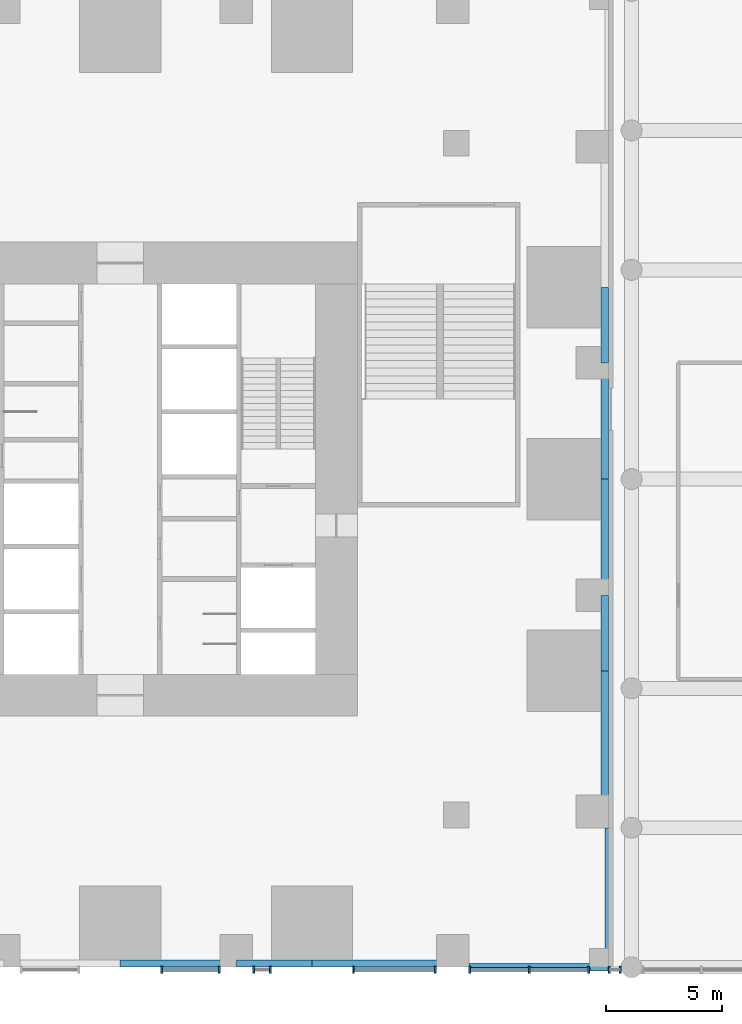
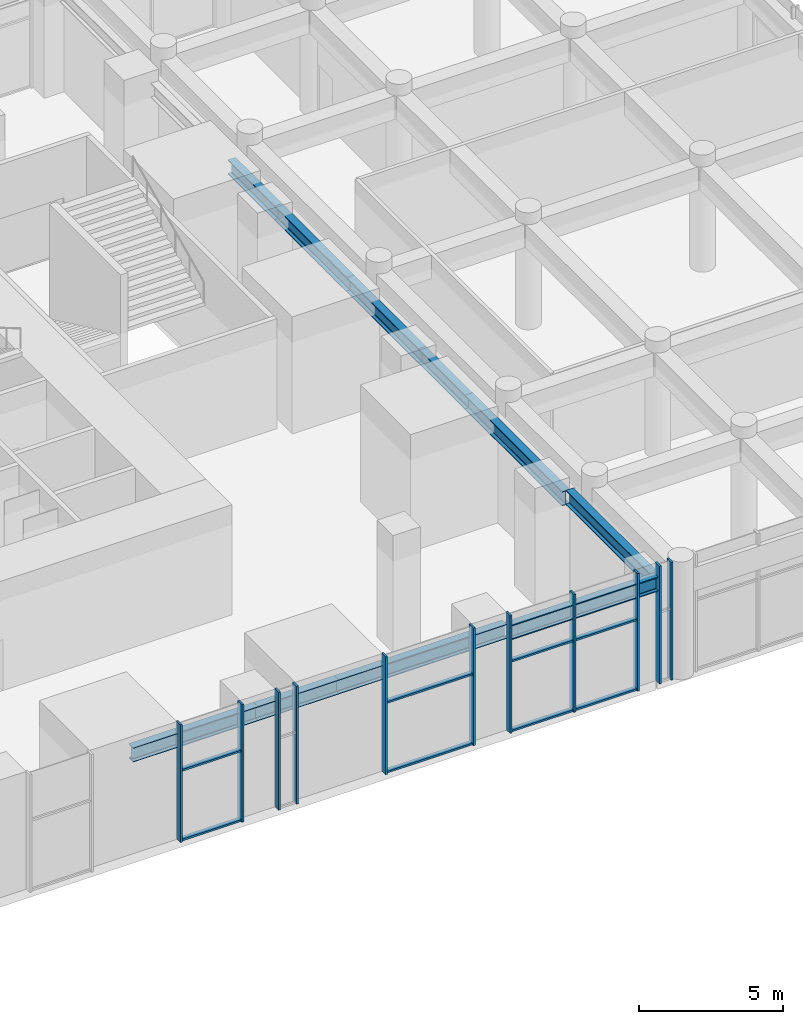
# One storey, part 4 of 23: 19 members, 10 beams, 5 elements without a shape of their own.
"""IFC4 building model written with IfcOpenShell, lengths in metres."""

from ifc_helpers import new_model, si_unit, direction, frame, origin, origin_2d, place, context, subcontext, project, spatial, rectangle, i_section, extrude, material, material_profile, profile_set, type_object, element, aggregate, save


model = new_model("IFC4")

# Units and contexts
model_context = context("Model", 3, precision=1e-05, world=origin(), true_north=direction((0.0, 1.0)))
body_context = subcontext(model_context, "Body", "Model", "MODEL_VIEW")
ifc_project = project(units=[si_unit("LENGTHUNIT", "METRE"), si_unit("AREAUNIT", "SQUARE_METRE"), si_unit("VOLUMEUNIT", "CUBIC_METRE"), si_unit("PLANEANGLEUNIT", "RADIAN"), si_unit("MASSUNIT", "GRAM", prefix="KILO")], contexts=[model_context])

# Site, building, storey
site_placement = place(None, origin())
site = spatial("IfcSite", under=ifc_project, at=site_placement, CompositionType="ELEMENT")
building_placement = place(site_placement, origin())
building = spatial("IfcBuilding", under=site, at=building_placement, Name="Svetlomir Tower", CompositionType="ELEMENT")
storey_placement = place(building_placement, frame((0.0, 0.0, 6.0)))
storey = spatial("IfcBuildingStorey", under=building, at=storey_placement, Name="L01", CompositionType="ELEMENT", Elevation=6.0)

# Curtain wall, members
ifc_material_1 = material(Name="Bronze anodised aluminium curtain wall", Category="aluminium")
curtain_wall_type = type_object("IfcCurtainWallType", Name="CURTAIN WALL CW5 PODIUM", PredefinedType="NOTDEFINED", material=ifc_material_1)
curtain_wall_1_placement = place(storey_placement, origin())
curtain_wall_1 = element("IfcCurtainWall", 1, at=curtain_wall_1_placement, inside=storey, type_object=curtain_wall_type, Name="Curtain wall CW5 L01", PredefinedType="NOTDEFINED")
ifc_material_2 = material(Name="Bronze anodised aluminium", Category="aluminium")
ifc_material_profile_1 = material_profile(ifc_material_2, rectangle(XDim=0.080078125, YDim=0.300048828125, at=origin_2d()), Name="AL 80x300")
ifc_profile_set_1 = profile_set([ifc_material_profile_1], Name="Bronze anodised aluminium 6063-T6")
member_type_1 = type_object("IfcMemberType", Name="CW5 MULLION 80x300", PredefinedType="MULLION", material=ifc_profile_set_1)
member_1_placement = place(storey_placement, frame((22.7900390625, -0.10009765625, 0.0), z_axis=(0.0, 0.0, 1.0), x_axis=(1.0, 0.0, 0.0)))
member_1 = element("IfcMember", 2, at=member_1_placement, type_object=member_type_1, Name="CW5 mullion 1", PredefinedType="MULLION", context=body_context, shape_type="SweptSolid", body=[
    extrude(rectangle(XDim=0.080078125, YDim=0.300048828125, at=origin_2d()), origin(), (0.0, 0.0, 1.0), 5.0),
])
member_2_placement = place(storey_placement, frame((25.260009765625, -0.10009765625, 0.0), z_axis=(0.0, 0.0, 1.0), x_axis=(1.0, 0.0, 0.0)))
member_2 = element("IfcMember", 3, at=member_2_placement, type_object=member_type_1, Name="CW5 mullion 2", PredefinedType="MULLION", context=body_context, shape_type="SweptSolid", body=[
    extrude(rectangle(XDim=0.080078125, YDim=0.300048828125, at=origin_2d()), origin(), (0.0, 0.0, 1.0), 5.0),
])

curtain_wall_2_placement = place(storey_placement, origin())
curtain_wall_2 = element("IfcCurtainWall", 4, at=curtain_wall_2_placement, inside=storey, type_object=curtain_wall_type, Name="Curtain wall CW5 L01", PredefinedType="NOTDEFINED")
member_3_placement = place(storey_placement, frame((26.739990234375, -0.10009765625, 0.0), z_axis=(0.0, 0.0, 1.0), x_axis=(1.0, 0.0, 0.0)))
member_3 = element("IfcMember", 5, at=member_3_placement, type_object=member_type_1, Name="CW5 mullion 1", PredefinedType="MULLION", context=body_context, shape_type="SweptSolid", body=[
    extrude(rectangle(XDim=0.080078125, YDim=0.300048828125, at=origin_2d()), origin(), (0.0, 0.0, 1.0), 5.0),
])
member_4_placement = place(storey_placement, frame((27.4599609375, -0.10009765625, 0.0), z_axis=(0.0, 0.0, 1.0), x_axis=(1.0, 0.0, 0.0)))
member_4 = element("IfcMember", 6, at=member_4_placement, type_object=member_type_1, Name="CW5 mullion 2", PredefinedType="MULLION", context=body_context, shape_type="SweptSolid", body=[
    extrude(rectangle(XDim=0.080078125, YDim=0.300048828125, at=origin_2d()), origin(), (0.0, 0.0, 1.0), 5.0),
])
aggregate(curtain_wall_2, [member_3, member_4])

curtain_wall_3_placement = place(storey_placement, origin())
curtain_wall_3 = element("IfcCurtainWall", 7, at=curtain_wall_3_placement, inside=storey, type_object=curtain_wall_type, Name="Curtain wall CW5 L01", PredefinedType="NOTDEFINED")
member_5_placement = place(storey_placement, frame((31.0400390625, -0.10009765625, 0.0), z_axis=(0.0, 0.0, 1.0), x_axis=(1.0, 0.0, 0.0)))
member_5 = element("IfcMember", 8, at=member_5_placement, type_object=member_type_1, Name="CW5 mullion 1", PredefinedType="MULLION", context=body_context, shape_type="SweptSolid", body=[
    extrude(rectangle(XDim=0.080078125, YDim=0.300048828125, at=origin_2d()), origin(), (0.0, 0.0, 1.0), 5.0),
])
member_6_placement = place(storey_placement, frame((34.56005859375, -0.10009765625, 0.0), z_axis=(0.0, 0.0, 1.0), x_axis=(1.0, 0.0, 0.0)))
member_6 = element("IfcMember", 9, at=member_6_placement, type_object=member_type_1, Name="CW5 mullion 2", PredefinedType="MULLION", context=body_context, shape_type="SweptSolid", body=[
    extrude(rectangle(XDim=0.080078125, YDim=0.300048828125, at=origin_2d()), origin(), (0.0, 0.0, 1.0), 5.0),
])

curtain_wall_4_placement = place(storey_placement, origin())
curtain_wall_4 = element("IfcCurtainWall", 10, at=curtain_wall_4_placement, inside=storey, type_object=curtain_wall_type, Name="Curtain wall CW5 L01", PredefinedType="NOTDEFINED")
member_7_placement = place(storey_placement, frame((36.0400390625, -0.10009765625, 0.0), z_axis=(0.0, 0.0, 1.0), x_axis=(1.0, 0.0, 0.0)))
member_7 = element("IfcMember", 11, at=member_7_placement, type_object=member_type_1, Name="CW5 mullion 1", PredefinedType="MULLION", context=body_context, shape_type="SweptSolid", body=[
    extrude(rectangle(XDim=0.080078125, YDim=0.300048828125, at=origin_2d()), origin(), (0.0, 0.0, 1.0), 5.0),
])
member_8_placement = place(storey_placement, frame((38.60009765625, -0.10009765625, 0.0), z_axis=(0.0, 0.0, 1.0), x_axis=(1.0, 0.0, 0.0)))
member_8 = element("IfcMember", 12, at=member_8_placement, type_object=member_type_1, Name="CW5 mullion 2", PredefinedType="MULLION", context=body_context, shape_type="SweptSolid", body=[
    extrude(rectangle(XDim=0.080078125, YDim=0.300048828125, at=origin_2d()), origin(), (0.0, 0.0, 1.0), 5.0),
])
member_9_placement = place(storey_placement, frame((41.159912109375, -0.10009765625, 0.0), z_axis=(0.0, 0.0, 1.0), x_axis=(1.0, 0.0, 0.0)))
member_9 = element("IfcMember", 13, at=member_9_placement, type_object=member_type_1, Name="CW5 mullion 3", PredefinedType="MULLION", context=body_context, shape_type="SweptSolid", body=[
    extrude(rectangle(XDim=0.080078125, YDim=0.300048828125, at=origin_2d()), origin(), (0.0, 0.0, 1.0), 5.0),
])

curtain_wall_5_placement = place(storey_placement, origin())
curtain_wall_5 = element("IfcCurtainWall", 14, at=curtain_wall_5_placement, inside=storey, type_object=curtain_wall_type, Name="Curtain wall CW5 L01", PredefinedType="NOTDEFINED")
member_10_placement = place(storey_placement, frame((42.0400390625, -0.10009765625, 0.0), z_axis=(0.0, 0.0, 1.0), x_axis=(1.0, 0.0, 0.0)))
member_10 = element("IfcMember", 15, at=member_10_placement, type_object=member_type_1, Name="CW5 mullion 1", PredefinedType="MULLION", context=body_context, shape_type="SweptSolid", body=[
    extrude(rectangle(XDim=0.080078125, YDim=0.300048828125, at=origin_2d()), origin(), (0.0, 0.0, 1.0), 5.0),
])
member_11_placement = place(storey_placement, frame((42.510009765625, -0.10009765625, 0.0), z_axis=(0.0, 0.0, 1.0), x_axis=(1.0, 0.0, 0.0)))
member_11 = element("IfcMember", 16, at=member_11_placement, type_object=member_type_1, Name="CW5 mullion 2", PredefinedType="MULLION", context=body_context, shape_type="SweptSolid", body=[
    extrude(rectangle(XDim=0.080078125, YDim=0.300048828125, at=origin_2d()), origin(), (0.0, 0.0, 1.0), 5.0),
])
aggregate(curtain_wall_5, [member_10, member_11])

# Member
ifc_material_3 = material(Name="Bronze anodised aluminium", Category="aluminium")
ifc_material_profile_2 = material_profile(ifc_material_3, rectangle(XDim=0.179931640625, YDim=0.080078125, at=origin_2d()), Name="AL 180x80")
ifc_profile_set_2 = profile_set([ifc_material_profile_2], Name="Bronze anodised aluminium 6063-T6")
member_type_2 = type_object("IfcMemberType", Name="CW5 TRANSOM 80x180", PredefinedType="USERDEFINED", material=ifc_profile_set_2)
member_12_placement = place(storey_placement, frame((22.830078125, -0.10009765625, 0.0400390625), z_axis=(1.0, 0.0, 0.0), x_axis=(0.0, 1.0, 0.0)))
member_12 = element("IfcMember", 17, at=member_12_placement, type_object=member_type_2, Name="CW5 transom 1.1", ObjectType="TRANSOM", PredefinedType="USERDEFINED", context=body_context, shape_type="SweptSolid", body=[
    extrude(rectangle(XDim=0.179931640625, YDim=0.080078125, at=origin_2d()), origin(), (0.0, 0.0, 1.0), 2.389892578125),
])

member_13_placement = place(storey_placement, frame((22.830078125, -0.10009765625, 3.0), z_axis=(1.0, 0.0, 0.0), x_axis=(0.0, 1.0, 0.0)))
member_13 = element("IfcMember", 18, at=member_13_placement, type_object=member_type_2, Name="CW5 transom 1.2", ObjectType="TRANSOM", PredefinedType="USERDEFINED", context=body_context, shape_type="SweptSolid", body=[
    extrude(rectangle(XDim=0.179931640625, YDim=0.080078125, at=origin_2d()), origin(), (0.0, 0.0, 1.0), 2.389892578125),
])

aggregate(curtain_wall_1, [member_1, member_2, member_12, member_13])

member_14_placement = place(storey_placement, frame((31.080078125, -0.10009765625, 0.0400390625), z_axis=(1.0, 0.0, 0.0), x_axis=(0.0, 1.0, 0.0)))
member_14 = element("IfcMember", 19, at=member_14_placement, type_object=member_type_2, Name="CW5 transom 1.1", ObjectType="TRANSOM", PredefinedType="USERDEFINED", context=body_context, shape_type="SweptSolid", body=[
    extrude(rectangle(XDim=0.179931640625, YDim=0.080078125, at=origin_2d()), origin(), (0.0, 0.0, 1.0), 3.43994140625),
])

member_15_placement = place(storey_placement, frame((31.080078125, -0.10009765625, 3.0), z_axis=(1.0, 0.0, 0.0), x_axis=(0.0, 1.0, 0.0)))
member_15 = element("IfcMember", 20, at=member_15_placement, type_object=member_type_2, Name="CW5 transom 1.2", ObjectType="TRANSOM", PredefinedType="USERDEFINED", context=body_context, shape_type="SweptSolid", body=[
    extrude(rectangle(XDim=0.179931640625, YDim=0.080078125, at=origin_2d()), origin(), (0.0, 0.0, 1.0), 3.43994140625),
])

aggregate(curtain_wall_3, [member_5, member_6, member_14, member_15])

member_16_placement = place(storey_placement, frame((36.080078125, -0.10009765625, 0.0400390625), z_axis=(1.0, 0.0, 0.0), x_axis=(0.0, 1.0, 0.0)))
member_16 = element("IfcMember", 21, at=member_16_placement, type_object=member_type_2, Name="CW5 transom 1.1", ObjectType="TRANSOM", PredefinedType="USERDEFINED", context=body_context, shape_type="SweptSolid", body=[
    extrude(rectangle(XDim=0.179931640625, YDim=0.080078125, at=origin_2d()), origin(), (0.0, 0.0, 1.0), 2.47998046875),
])

member_17_placement = place(storey_placement, frame((36.080078125, -0.10009765625, 3.0), z_axis=(1.0, 0.0, 0.0), x_axis=(0.0, 1.0, 0.0)))
member_17 = element("IfcMember", 22, at=member_17_placement, type_object=member_type_2, Name="CW5 transom 1.2", ObjectType="TRANSOM", PredefinedType="USERDEFINED", context=body_context, shape_type="SweptSolid", body=[
    extrude(rectangle(XDim=0.179931640625, YDim=0.080078125, at=origin_2d()), origin(), (0.0, 0.0, 1.0), 2.47998046875),
])

member_18_placement = place(storey_placement, frame((38.639892578125, -0.10009765625, 0.0400390625), z_axis=(1.0, 0.0, 0.0), x_axis=(0.0, 1.0, 0.0)))
member_18 = element("IfcMember", 23, at=member_18_placement, type_object=member_type_2, Name="CW5 transom 2.1", ObjectType="TRANSOM", PredefinedType="USERDEFINED", context=body_context, shape_type="SweptSolid", body=[
    extrude(rectangle(XDim=0.179931640625, YDim=0.080078125, at=origin_2d()), origin(), (0.0, 0.0, 1.0), 2.480224609375),
])

member_19_placement = place(storey_placement, frame((38.639892578125, -0.10009765625, 3.0), z_axis=(1.0, 0.0, 0.0), x_axis=(0.0, 1.0, 0.0)))
member_19 = element("IfcMember", 24, at=member_19_placement, type_object=member_type_2, Name="CW5 transom 2.2", ObjectType="TRANSOM", PredefinedType="USERDEFINED", context=body_context, shape_type="SweptSolid", body=[
    extrude(rectangle(XDim=0.179931640625, YDim=0.080078125, at=origin_2d()), origin(), (0.0, 0.0, 1.0), 2.480224609375),
])

aggregate(curtain_wall_4, [member_7, member_8, member_9, member_16, member_17, member_18, member_19])

# Beams
ifc_material_4 = material(Name="Steel S355", Category="steel")
ifc_material_profile_3 = material_profile(ifc_material_4, i_section(OverallWidth=0.304931640625, OverallDepth=0.6201171875, WebThickness=0.02099609375, FlangeThickness=0.0400390625, FilletRadius=0.027099609375, at=origin_2d()), Name="HEM 600")
ifc_profile_set_3 = profile_set([ifc_material_profile_3], Name="Steel S355")
beam_type = type_object("IfcBeamType", Name="PODIUM EDGE BEAM HEM 600", PredefinedType="BEAM", material=ifc_profile_set_3)
beam_1_placement = place(storey_placement, frame((21.0, 0.152587890625, 4.18994140625), z_axis=(1.0, 0.0, 0.0), x_axis=(0.0, 1.0, 0.0)))
element("IfcBeam", 25, at=beam_1_placement, inside=storey, type_object=beam_type, Name="Podium beam 21/0 to 26/0 under L02", PredefinedType="BEAM", context=body_context, shape_type="SweptSolid", body=[
    extrude(i_section(OverallWidth=0.304931640625, OverallDepth=0.6201171875, WebThickness=0.02099609375, FlangeThickness=0.0400390625, FilletRadius=0.027099609375, at=origin_2d()), origin(), (0.0, 0.0, 1.0), 5.0),
])
beam_2_placement = place(storey_placement, frame((26.0, 0.152587890625, 4.18994140625), z_axis=(1.0, 0.0, 0.0), x_axis=(0.0, 1.0, 0.0)))
element("IfcBeam", 26, at=beam_2_placement, inside=storey, type_object=beam_type, Name="Podium beam 26/0 to 31/0 under L02", PredefinedType="BEAM", context=body_context, shape_type="SweptSolid", body=[
    extrude(i_section(OverallWidth=0.304931640625, OverallDepth=0.6201171875, WebThickness=0.02099609375, FlangeThickness=0.0400390625, FilletRadius=0.027099609375, at=origin_2d()), origin(), (0.0, 0.0, 1.0), 3.25),
])
beam_3_placement = place(storey_placement, frame((29.25, 0.152587890625, 4.18994140625), z_axis=(1.0, 0.0, 0.0), x_axis=(0.0, 1.0, 0.0)))
element("IfcBeam", 27, at=beam_3_placement, inside=storey, type_object=beam_type, Name="Podium beam 31/0 to 36/0 under L02", PredefinedType="BEAM", context=body_context, shape_type="SweptSolid", body=[
    extrude(i_section(OverallWidth=0.304931640625, OverallDepth=0.6201171875, WebThickness=0.02099609375, FlangeThickness=0.0400390625, FilletRadius=0.027099609375, at=origin_2d()), origin(), (0.0, 0.0, 1.0), 6.75),
])
for number, where, z_axis, x_axis, name in (
    (28, (36.0, 0.0, 4.18994140625), (1.0, 0.0, 0.0), (0.0, 1.0, 0.0), "Podium beam 36/0 to 42/0 under L02"),
    (29, (42.0, 0.0, 4.18994140625), (0.0, 1.0, 0.0), (-1.0, 0.0, 0.0), "Podium beam 42/0 to 42/6 under L02"),
):
    element("IfcBeam", number, at=place(storey_placement, frame(where, z_axis=z_axis, x_axis=x_axis)), inside=storey, type_object=beam_type, Name=name, PredefinedType="BEAM", context=body_context, shape_type="SweptSolid", body=[
        extrude(i_section(OverallWidth=0.304931640625, OverallDepth=0.6201171875, WebThickness=0.02099609375, FlangeThickness=0.0400390625, FilletRadius=0.027099609375, at=origin_2d()), origin(), (0.0, 0.0, 1.0), 6.0),
    ])
beam_4_placement = place(storey_placement, frame((41.847412109375, 6.0, 4.18994140625), z_axis=(0.0, 1.0, 0.0), x_axis=(-1.0, 0.0, 0.0)))
element("IfcBeam", 30, at=beam_4_placement, inside=storey, type_object=beam_type, Name="Podium beam 42/6 to 42/11 under L02", PredefinedType="BEAM", context=body_context, shape_type="SweptSolid", body=[
    extrude(i_section(OverallWidth=0.304931640625, OverallDepth=0.6201171875, WebThickness=0.02099609375, FlangeThickness=0.0400390625, FilletRadius=0.027099609375, at=origin_2d()), origin(), (0.0, 0.0, 1.0), 6.75),
])
beam_5_placement = place(storey_placement, frame((41.847412109375, 12.75, 4.18994140625), z_axis=(0.0, 1.0, 0.0), x_axis=(-1.0, 0.0, 0.0)))
element("IfcBeam", 31, at=beam_5_placement, inside=storey, type_object=beam_type, Name="Podium beam 42/11 to 42/16 under L02", PredefinedType="BEAM", context=body_context, shape_type="SweptSolid", body=[
    extrude(i_section(OverallWidth=0.304931640625, OverallDepth=0.6201171875, WebThickness=0.02099609375, FlangeThickness=0.0400390625, FilletRadius=0.027099609375, at=origin_2d()), origin(), (0.0, 0.0, 1.0), 3.25),
])
for number, where, z_axis, x_axis, name in (
    (32, (41.847412109375, 16.0, 4.18994140625), (0.0, 1.0, 0.0), (-1.0, 0.0, 0.0), "Podium beam 42/16 to 42/21 under L02"),
    (33, (41.847412109375, 21.0, 4.18994140625), (0.0, 1.0, 0.0), (-1.0, 0.0, 0.0), "Podium beam 42/21 to 42/26 under L02"),
):
    element("IfcBeam", number, at=place(storey_placement, frame(where, z_axis=z_axis, x_axis=x_axis)), inside=storey, type_object=beam_type, Name=name, PredefinedType="BEAM", context=body_context, shape_type="SweptSolid", body=[
        extrude(i_section(OverallWidth=0.304931640625, OverallDepth=0.6201171875, WebThickness=0.02099609375, FlangeThickness=0.0400390625, FilletRadius=0.027099609375, at=origin_2d()), origin(), (0.0, 0.0, 1.0), 5.0),
    ])
beam_6_placement = place(storey_placement, frame((41.847412109375, 26.0, 4.18994140625), z_axis=(0.0, 1.0, 0.0), x_axis=(-1.0, 0.0, 0.0)))
element("IfcBeam", 34, at=beam_6_placement, inside=storey, type_object=beam_type, Name="Podium beam 42/26 to 42/31 under L02", PredefinedType="BEAM", context=body_context, shape_type="SweptSolid", body=[
    extrude(i_section(OverallWidth=0.304931640625, OverallDepth=0.6201171875, WebThickness=0.02099609375, FlangeThickness=0.0400390625, FilletRadius=0.027099609375, at=origin_2d()), origin(), (0.0, 0.0, 1.0), 3.25),
])

save(model, "model.ifc")
